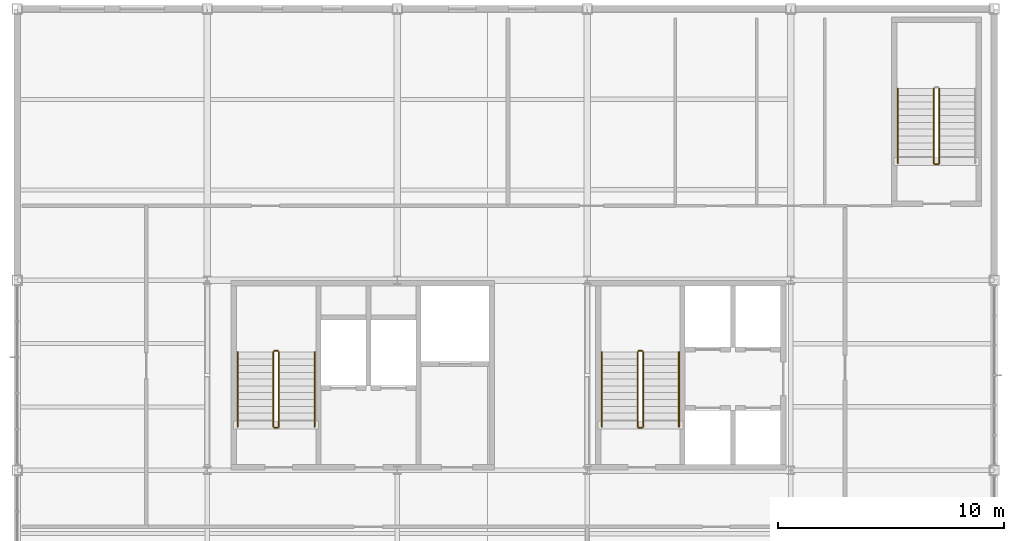
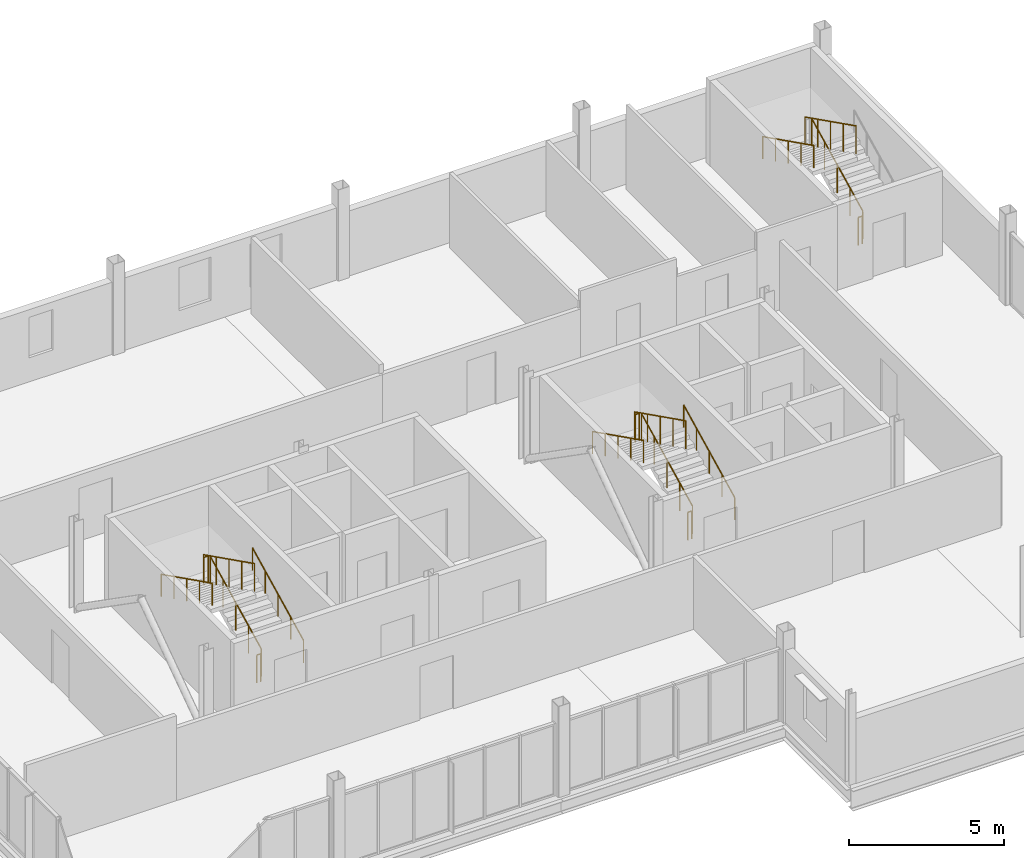
# One storey, part 15 of 16: 16 railings.
"""IFC4 building model written with IfcOpenShell, lengths in metres."""

from ifc_helpers import new_model, si_unit, direction, frame, origin, origin_2d, place, context, subcontext, project, spatial, circle, extrude, material, layer, layer_set, type_object, element, save


model = new_model("IFC4")

# Units and contexts
model_context = context("Model", 3, precision=1e-05, world=origin(), true_north=direction((0.0, 1.0)))
body_context = subcontext(model_context, "Body", "Model", "MODEL_VIEW")
ifc_project = project(units=[si_unit("LENGTHUNIT", "METRE"), si_unit("AREAUNIT", "SQUARE_METRE"), si_unit("VOLUMEUNIT", "CUBIC_METRE"), si_unit("PLANEANGLEUNIT", "RADIAN"), si_unit("MASSUNIT", "GRAM", prefix="KILO")], contexts=[model_context])

# Site, building, storey
site_placement = place(None, origin())
site = spatial("IfcSite", under=ifc_project, at=site_placement, CompositionType="ELEMENT")
building_placement = place(site_placement, origin())
building = spatial("IfcBuilding", under=site, at=building_placement, Name="Yukiwa Park Conservatory and Herbarium", CompositionType="ELEMENT")
storey_placement = place(building_placement, frame((0.0, 0.0, 43.199951171875)))
storey = spatial("IfcBuildingStorey", under=building, at=storey_placement, Name="L11", CompositionType="ELEMENT", Elevation=43.199951171875)

# Railings
ifc_material_1 = material(Name="Steel Q235B", Category="steel")
ifc_layer_1 = layer(ifc_material_1, 0.050048828125)
ifc_layer_set_1 = layer_set([ifc_layer_1], Name="Steel Q235B")
railing_type_1 = type_object("IfcRailingType", Name="RL-STAIR-GUARD-1120", PredefinedType="BALUSTRADE", material=ifc_layer_set_1)
railing_1_placement = place(storey_placement, frame((136.3701171875, 96.72998046875, 0.150146484375)))
element("IfcRailing", 1, at=railing_1_placement, inside=storey, type_object=railing_type_1, Name="L11 ST-T1 stair guard 1", PredefinedType="BALUSTRADE", context=body_context, shape_type="SweptSolid", body=[
    extrude(circle(Radius=0.02392578125, at=origin_2d()), frame((0.0, 0.0, 1.09619140625), z_axis=(0.0, 0.894440424912, 0.447187126696), x_axis=(-1.0, 0.0, 0.0)), (0.0, 0.0, 1.0), 3.689453125),
    extrude(circle(Radius=0.02099609375, at=origin_2d()), origin(), (0.0, 0.0, 1.0), 1.072021484375),
    extrude(circle(Radius=0.02099609375, at=origin_2d()), frame((0.0, 0.824951171875, 0.41259765625)), (0.0, 0.0, 1.0), 1.072021484375),
    extrude(circle(Radius=0.02099609375, at=origin_2d()), frame((0.0, 1.64990234375, 0.824951171875)), (0.0, 0.0, 1.0), 1.072021484375),
    extrude(circle(Radius=0.02099609375, at=origin_2d()), frame((0.0, 2.47509765625, 1.2373046875)), (0.0, 0.0, 1.0), 1.072021484375),
    extrude(circle(Radius=0.02099609375, at=origin_2d()), frame((0.0, 3.300048828125, 1.64990234375)), (0.0, 0.0, 1.0), 1.072021484375),
])
railing_2_placement = place(storey_placement, frame((136.320068359375, 100.080078125, 1.800048828125)))
element("IfcRailing", 2, at=railing_2_placement, inside=storey, type_object=railing_type_1, Name="L11 ST-T1 stair guard 2", PredefinedType="BALUSTRADE", context=body_context, shape_type="SweptSolid", body=[
    extrude(circle(Radius=0.02392578125, at=origin_2d()), frame((0.0, 0.0, 1.09619140625), z_axis=(-1.0, 0.0, 0.0), x_axis=(0.0, -1.0, 0.0)), (0.0, 0.0, 1.0), 0.150146484375),
    extrude(circle(Radius=0.02099609375, at=origin_2d()), origin(), (0.0, 0.0, 1.0), 1.072021484375),
    extrude(circle(Radius=0.02099609375, at=origin_2d()), frame((-0.150146484375, 0.0, 0.0)), (0.0, 0.0, 1.0), 1.072021484375),
])
railing_3_placement = place(storey_placement, frame((136.1201171875, 100.030029296875, 1.949951171875)))
element("IfcRailing", 3, at=railing_3_placement, inside=storey, type_object=railing_type_1, Name="L11 ST-T1 stair guard 3", PredefinedType="BALUSTRADE", context=body_context, shape_type="SweptSolid", body=[
    extrude(circle(Radius=0.02392578125, at=origin_2d()), frame((0.0, 0.0, 1.09619140625), z_axis=(0.0, -0.894413956696, 0.447240063129), x_axis=(1.0, 0.0, 0.0)), (0.0, 0.0, 1.0), 3.689697265625),
    extrude(circle(Radius=0.02099609375, at=origin_2d()), origin(), (0.0, 0.0, 1.0), 1.072021484375),
    extrude(circle(Radius=0.02099609375, at=origin_2d()), frame((0.0, -0.824951171875, 0.41259765625)), (0.0, 0.0, 1.0), 1.072021484375),
    extrude(circle(Radius=0.02099609375, at=origin_2d()), frame((0.0, -1.64990234375, 0.8251953125)), (0.0, 0.0, 1.0), 1.072021484375),
    extrude(circle(Radius=0.02099609375, at=origin_2d()), frame((0.0, -2.47509765625, 1.237548828125)), (0.0, 0.0, 1.0), 1.072021484375),
    extrude(circle(Radius=0.02099609375, at=origin_2d()), frame((0.0, -3.300048828125, 1.650146484375)), (0.0, 0.0, 1.0), 1.072021484375),
])
railing_4_placement = place(storey_placement, frame((136.320068359375, 96.679931640625, 0.0)))
element("IfcRailing", 4, at=railing_4_placement, inside=storey, type_object=railing_type_1, Name="L11 ST-T1 stair guard 4", PredefinedType="BALUSTRADE", context=body_context, shape_type="SweptSolid", body=[
    extrude(circle(Radius=0.02392578125, at=origin_2d()), frame((0.0, 0.0, 1.09619140625), z_axis=(-1.0, 0.0, 0.0), x_axis=(0.0, -1.0, 0.0)), (0.0, 0.0, 1.0), 0.150146484375),
    extrude(circle(Radius=0.02099609375, at=origin_2d()), origin(), (0.0, 0.0, 1.0), 1.072021484375),
    extrude(circle(Radius=0.02099609375, at=origin_2d()), frame((-0.150146484375, 0.0, 0.0)), (0.0, 0.0, 1.0), 1.072021484375),
])
railing_5_placement = place(storey_placement, frame((152.47998046875, 96.72998046875, 0.150146484375)))
element("IfcRailing", 5, at=railing_5_placement, inside=storey, type_object=railing_type_1, Name="L11 ST-T2 stair guard 1", PredefinedType="BALUSTRADE", context=body_context, shape_type="SweptSolid", body=[
    extrude(circle(Radius=0.02392578125, at=origin_2d()), frame((0.0, 0.0, 1.09619140625), z_axis=(0.0, 0.894440424912, 0.447187126696), x_axis=(-1.0, 0.0, 0.0)), (0.0, 0.0, 1.0), 3.689453125),
    extrude(circle(Radius=0.02099609375, at=origin_2d()), origin(), (0.0, 0.0, 1.0), 1.072021484375),
    extrude(circle(Radius=0.02099609375, at=origin_2d()), frame((0.0, 0.824951171875, 0.41259765625)), (0.0, 0.0, 1.0), 1.072021484375),
    extrude(circle(Radius=0.02099609375, at=origin_2d()), frame((0.0, 1.64990234375, 0.824951171875)), (0.0, 0.0, 1.0), 1.072021484375),
    extrude(circle(Radius=0.02099609375, at=origin_2d()), frame((0.0, 2.47509765625, 1.2373046875)), (0.0, 0.0, 1.0), 1.072021484375),
    extrude(circle(Radius=0.02099609375, at=origin_2d()), frame((0.0, 3.300048828125, 1.64990234375)), (0.0, 0.0, 1.0), 1.072021484375),
])
railing_6_placement = place(storey_placement, frame((152.429931640625, 100.080078125, 1.800048828125)))
element("IfcRailing", 6, at=railing_6_placement, inside=storey, type_object=railing_type_1, Name="L11 ST-T2 stair guard 2", PredefinedType="BALUSTRADE", context=body_context, shape_type="SweptSolid", body=[
    extrude(circle(Radius=0.02392578125, at=origin_2d()), frame((0.0, 0.0, 1.09619140625), z_axis=(-1.0, 0.0, 0.0), x_axis=(0.0, -1.0, 0.0)), (0.0, 0.0, 1.0), 0.14990234375),
    extrude(circle(Radius=0.02099609375, at=origin_2d()), origin(), (0.0, 0.0, 1.0), 1.072021484375),
    extrude(circle(Radius=0.02099609375, at=origin_2d()), frame((-0.14990234375, 0.0, 0.0)), (0.0, 0.0, 1.0), 1.072021484375),
])
railing_7_placement = place(storey_placement, frame((152.22998046875, 100.030029296875, 1.949951171875)))
element("IfcRailing", 7, at=railing_7_placement, inside=storey, type_object=railing_type_1, Name="L11 ST-T2 stair guard 3", PredefinedType="BALUSTRADE", context=body_context, shape_type="SweptSolid", body=[
    extrude(circle(Radius=0.02392578125, at=origin_2d()), frame((0.0, 0.0, 1.09619140625), z_axis=(0.0, -0.894413956696, 0.447240063129), x_axis=(1.0, 0.0, 0.0)), (0.0, 0.0, 1.0), 3.689697265625),
    extrude(circle(Radius=0.02099609375, at=origin_2d()), origin(), (0.0, 0.0, 1.0), 1.072021484375),
    extrude(circle(Radius=0.02099609375, at=origin_2d()), frame((0.0, -0.824951171875, 0.41259765625)), (0.0, 0.0, 1.0), 1.072021484375),
    extrude(circle(Radius=0.02099609375, at=origin_2d()), frame((0.0, -1.64990234375, 0.8251953125)), (0.0, 0.0, 1.0), 1.072021484375),
    extrude(circle(Radius=0.02099609375, at=origin_2d()), frame((0.0, -2.47509765625, 1.237548828125)), (0.0, 0.0, 1.0), 1.072021484375),
    extrude(circle(Radius=0.02099609375, at=origin_2d()), frame((0.0, -3.300048828125, 1.650146484375)), (0.0, 0.0, 1.0), 1.072021484375),
])
railing_8_placement = place(storey_placement, frame((152.429931640625, 96.679931640625, 0.0)))
element("IfcRailing", 8, at=railing_8_placement, inside=storey, type_object=railing_type_1, Name="L11 ST-T2 stair guard 4", PredefinedType="BALUSTRADE", context=body_context, shape_type="SweptSolid", body=[
    extrude(circle(Radius=0.02392578125, at=origin_2d()), frame((0.0, 0.0, 1.09619140625), z_axis=(-1.0, 0.0, 0.0), x_axis=(0.0, -1.0, 0.0)), (0.0, 0.0, 1.0), 0.14990234375),
    extrude(circle(Radius=0.02099609375, at=origin_2d()), origin(), (0.0, 0.0, 1.0), 1.072021484375),
    extrude(circle(Radius=0.02099609375, at=origin_2d()), frame((-0.14990234375, 0.0, 0.0)), (0.0, 0.0, 1.0), 1.072021484375),
])
railing_9_placement = place(storey_placement, frame((165.570068359375, 108.3798828125, 0.150146484375)))
element("IfcRailing", 9, at=railing_9_placement, inside=storey, type_object=railing_type_1, Name="L11 ST-T3 stair guard 1", PredefinedType="BALUSTRADE", context=body_context, shape_type="SweptSolid", body=[
    extrude(circle(Radius=0.02392578125, at=origin_2d()), frame((0.0, 0.0, 1.09619140625), z_axis=(0.0, 0.894440424912, 0.447187126696), x_axis=(-1.0, 0.0, 0.0)), (0.0, 0.0, 1.0), 3.689453125),
    extrude(circle(Radius=0.02099609375, at=origin_2d()), origin(), (0.0, 0.0, 1.0), 1.072021484375),
    extrude(circle(Radius=0.02099609375, at=origin_2d()), frame((0.0, 0.824951171875, 0.41259765625)), (0.0, 0.0, 1.0), 1.072021484375),
    extrude(circle(Radius=0.02099609375, at=origin_2d()), frame((0.0, 1.64990234375, 0.824951171875)), (0.0, 0.0, 1.0), 1.072021484375),
    extrude(circle(Radius=0.02099609375, at=origin_2d()), frame((0.0, 2.47509765625, 1.2373046875)), (0.0, 0.0, 1.0), 1.072021484375),
    extrude(circle(Radius=0.02099609375, at=origin_2d()), frame((0.0, 3.300048828125, 1.64990234375)), (0.0, 0.0, 1.0), 1.072021484375),
])
railing_10_placement = place(storey_placement, frame((165.320068359375, 111.679931640625, 1.949951171875)))
element("IfcRailing", 10, at=railing_10_placement, inside=storey, type_object=railing_type_1, Name="L11 ST-T3 stair guard 3", PredefinedType="BALUSTRADE", context=body_context, shape_type="SweptSolid", body=[
    extrude(circle(Radius=0.02392578125, at=origin_2d()), frame((0.0, 0.0, 1.09619140625), z_axis=(0.0, -0.894413956696, 0.447240063129), x_axis=(1.0, 0.0, 0.0)), (0.0, 0.0, 1.0), 3.689697265625),
    extrude(circle(Radius=0.02099609375, at=origin_2d()), origin(), (0.0, 0.0, 1.0), 1.072021484375),
    extrude(circle(Radius=0.02099609375, at=origin_2d()), frame((0.0, -0.824951171875, 0.41259765625)), (0.0, 0.0, 1.0), 1.072021484375),
    extrude(circle(Radius=0.02099609375, at=origin_2d()), frame((0.0, -1.64990234375, 0.8251953125)), (0.0, 0.0, 1.0), 1.072021484375),
    extrude(circle(Radius=0.02099609375, at=origin_2d()), frame((0.0, -2.47509765625, 1.237548828125)), (0.0, 0.0, 1.0), 1.072021484375),
    extrude(circle(Radius=0.02099609375, at=origin_2d()), frame((0.0, -3.300048828125, 1.650146484375)), (0.0, 0.0, 1.0), 1.072021484375),
])
railing_11_placement = place(storey_placement, frame((165.52001953125, 108.330078125, 0.0)))
element("IfcRailing", 11, at=railing_11_placement, inside=storey, type_object=railing_type_1, Name="L11 ST-T3 stair guard 4", PredefinedType="BALUSTRADE", context=body_context, shape_type="SweptSolid", body=[
    extrude(circle(Radius=0.02392578125, at=origin_2d()), frame((0.0, 0.0, 1.09619140625), z_axis=(-1.0, 0.0, 0.0), x_axis=(0.0, -1.0, 0.0)), (0.0, 0.0, 1.0), 0.14990234375),
    extrude(circle(Radius=0.02099609375, at=origin_2d()), origin(), (0.0, 0.0, 1.0), 1.072021484375),
    extrude(circle(Radius=0.02099609375, at=origin_2d()), frame((-0.14990234375, 0.0, 0.0)), (0.0, 0.0, 1.0), 1.072021484375),
])
ifc_material_2 = material(Name="Steel Q235B", Category="steel")
ifc_layer_2 = layer(ifc_material_2, 0.044921875)
ifc_layer_set_2 = layer_set([ifc_layer_2], Name="Steel Q235B")
railing_type_2 = type_object("IfcRailingType", Name="RL-STAIR-RAIL-900", PredefinedType="HANDRAIL", material=ifc_layer_set_2)
railing_12_placement = place(storey_placement, frame((137.949951171875, 96.72998046875, 0.150146484375)))
element("IfcRailing", 12, at=railing_12_placement, inside=storey, type_object=railing_type_2, Name="L11 ST-T1 stair handrail 1", PredefinedType="HANDRAIL", context=body_context, shape_type="SweptSolid", body=[
    extrude(circle(Radius=0.02392578125, at=origin_2d()), frame((0.0, 0.0, 0.8759765625), z_axis=(0.0, 0.894440424912, 0.447187126696), x_axis=(-1.0, 0.0, 0.0)), (0.0, 0.0, 1.0), 3.689453125),
    extrude(circle(Radius=0.02099609375, at=origin_2d()), origin(), (0.0, 0.0, 1.0), 0.851806640625),
    extrude(circle(Radius=0.02099609375, at=origin_2d()), frame((0.0, 0.824951171875, 0.41259765625)), (0.0, 0.0, 1.0), 0.851806640625),
    extrude(circle(Radius=0.02099609375, at=origin_2d()), frame((0.0, 1.64990234375, 0.824951171875)), (0.0, 0.0, 1.0), 0.851806640625),
    extrude(circle(Radius=0.02099609375, at=origin_2d()), frame((0.0, 2.47509765625, 1.2373046875)), (0.0, 0.0, 1.0), 0.851806640625),
    extrude(circle(Radius=0.02099609375, at=origin_2d()), frame((0.0, 3.300048828125, 1.64990234375)), (0.0, 0.0, 1.0), 0.851806640625),
])
railing_13_placement = place(storey_placement, frame((134.5400390625, 100.030029296875, 1.949951171875)))
element("IfcRailing", 13, at=railing_13_placement, inside=storey, type_object=railing_type_2, Name="L11 ST-T1 stair handrail 2", PredefinedType="HANDRAIL", context=body_context, shape_type="SweptSolid", body=[
    extrude(circle(Radius=0.02392578125, at=origin_2d()), frame((0.0, 0.0, 0.8759765625), z_axis=(0.0, -0.894413956696, 0.447240063129), x_axis=(1.0, 0.0, 0.0)), (0.0, 0.0, 1.0), 3.689697265625),
    extrude(circle(Radius=0.02099609375, at=origin_2d()), origin(), (0.0, 0.0, 1.0), 0.851806640625),
    extrude(circle(Radius=0.02099609375, at=origin_2d()), frame((0.0, -0.824951171875, 0.41259765625)), (0.0, 0.0, 1.0), 0.851806640625),
    extrude(circle(Radius=0.02099609375, at=origin_2d()), frame((0.0, -1.64990234375, 0.8251953125)), (0.0, 0.0, 1.0), 0.851806640625),
    extrude(circle(Radius=0.02099609375, at=origin_2d()), frame((0.0, -2.47509765625, 1.237548828125)), (0.0, 0.0, 1.0), 0.851806640625),
    extrude(circle(Radius=0.02099609375, at=origin_2d()), frame((0.0, -3.300048828125, 1.650146484375)), (0.0, 0.0, 1.0), 0.851806640625),
])
railing_14_placement = place(storey_placement, frame((154.06005859375, 96.72998046875, 0.150146484375)))
element("IfcRailing", 14, at=railing_14_placement, inside=storey, type_object=railing_type_2, Name="L11 ST-T2 stair handrail 1", PredefinedType="HANDRAIL", context=body_context, shape_type="SweptSolid", body=[
    extrude(circle(Radius=0.02392578125, at=origin_2d()), frame((0.0, 0.0, 0.8759765625), z_axis=(0.0, 0.894440424912, 0.447187126696), x_axis=(-1.0, 0.0, 0.0)), (0.0, 0.0, 1.0), 3.689453125),
    extrude(circle(Radius=0.02099609375, at=origin_2d()), origin(), (0.0, 0.0, 1.0), 0.851806640625),
    extrude(circle(Radius=0.02099609375, at=origin_2d()), frame((0.0, 0.824951171875, 0.41259765625)), (0.0, 0.0, 1.0), 0.851806640625),
    extrude(circle(Radius=0.02099609375, at=origin_2d()), frame((0.0, 1.64990234375, 0.824951171875)), (0.0, 0.0, 1.0), 0.851806640625),
    extrude(circle(Radius=0.02099609375, at=origin_2d()), frame((0.0, 2.47509765625, 1.2373046875)), (0.0, 0.0, 1.0), 0.851806640625),
    extrude(circle(Radius=0.02099609375, at=origin_2d()), frame((0.0, 3.300048828125, 1.64990234375)), (0.0, 0.0, 1.0), 0.851806640625),
])
for number, where, name in (
    (15, (150.64990234375, 100.030029296875, 1.949951171875), "L11 ST-T2 stair handrail 2"),
    (16, (163.739990234375, 111.679931640625, 1.949951171875), "L11 ST-T3 stair handrail 2"),
):
    element("IfcRailing", number, at=place(storey_placement, frame(where)), inside=storey, type_object=railing_type_2, Name=name, PredefinedType="HANDRAIL", context=body_context, shape_type="SweptSolid", body=[
        extrude(circle(Radius=0.02392578125, at=origin_2d()), frame((0.0, 0.0, 0.8759765625), z_axis=(0.0, -0.894413956696, 0.447240063129), x_axis=(1.0, 0.0, 0.0)), (0.0, 0.0, 1.0), 3.689697265625),
        extrude(circle(Radius=0.02099609375, at=origin_2d()), origin(), (0.0, 0.0, 1.0), 0.851806640625),
        extrude(circle(Radius=0.02099609375, at=origin_2d()), frame((0.0, -0.824951171875, 0.41259765625)), (0.0, 0.0, 1.0), 0.851806640625),
        extrude(circle(Radius=0.02099609375, at=origin_2d()), frame((0.0, -1.64990234375, 0.8251953125)), (0.0, 0.0, 1.0), 0.851806640625),
        extrude(circle(Radius=0.02099609375, at=origin_2d()), frame((0.0, -2.47509765625, 1.237548828125)), (0.0, 0.0, 1.0), 0.851806640625),
        extrude(circle(Radius=0.02099609375, at=origin_2d()), frame((0.0, -3.300048828125, 1.650146484375)), (0.0, 0.0, 1.0), 0.851806640625),
    ])

save(model, "model.ifc")
